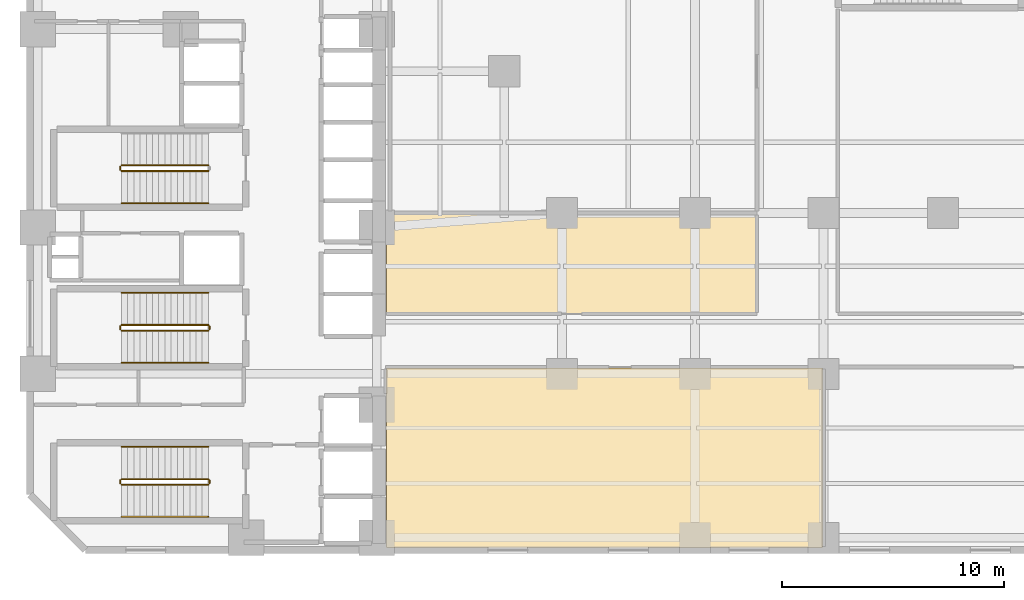
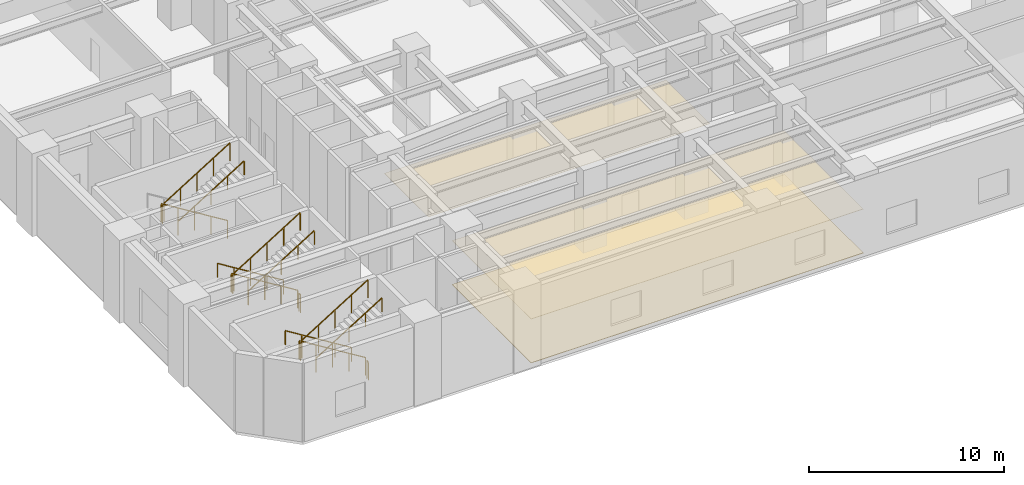
# One storey, part 18 of 22: 16 railings, 3 coverings.
"""IFC4 building model written with IfcOpenShell, lengths in metres."""

from ifc_helpers import new_model, si_unit, direction, frame, origin, origin_2d, place, context, subcontext, project, spatial, polyline, rectangle, outline, extrude, material, layer, layer_set, type_object, element, save


model = new_model("IFC4")

# Units and contexts
model_context = context("Model", 3, precision=1e-05, world=origin(), true_north=direction((0.0, 1.0)))
body_context = subcontext(model_context, "Body", "Model", "MODEL_VIEW")
ifc_project = project(units=[si_unit("LENGTHUNIT", "METRE"), si_unit("AREAUNIT", "SQUARE_METRE"), si_unit("VOLUMEUNIT", "CUBIC_METRE"), si_unit("PLANEANGLEUNIT", "RADIAN"), si_unit("MASSUNIT", "GRAM", prefix="KILO")], contexts=[model_context])

# Site, building, storey
site_placement = place(None, origin())
site = spatial("IfcSite", under=ifc_project, at=site_placement, CompositionType="ELEMENT")
building_placement = place(site_placement, origin())
building = spatial("IfcBuilding", under=site, at=building_placement, Name="Mawjaban Terraces University", CompositionType="ELEMENT")
storey_placement = place(building_placement, frame((0.0, 0.0, 10.39990234375)))
storey = spatial("IfcBuildingStorey", under=building, at=storey_placement, Name="L02", CompositionType="ELEMENT", Elevation=10.39990234375)

# Coverings
ifc_material_1 = material(Name="Acoustic mineral fibre ceiling tile", Category="masonry")
ifc_layer_1 = layer(ifc_material_1, 0.02001953125)
ifc_layer_set_1 = layer_set([ifc_layer_1], Name="Acoustic mineral fibre ceiling tile")
covering_type_1 = type_object("IfcCoveringType", Name="AcousticMineralCeiling_20", PredefinedType="CEILING", material=ifc_layer_set_1)
covering_1_placement = place(storey_placement, frame((0.0, 0.0, 2.75)))
element("IfcCovering", 1, at=covering_1_placement, inside=storey, type_object=covering_type_1, Name="L02 Lecture Audio-Visual Preparation Room Acoustic Ceiling", PredefinedType="CEILING", context=body_context, shape_type="SweptSolid", body=[
    extrude(outline(polyline([(54.77001953125, 10.679931640625), (54.77001953125, 15.169921875), (38.080078125, 15.169921875), (38.080078125, 10.679931640625), (54.77001953125, 10.679931640625)])), origin(), (0.0, 0.0, 1.0), 0.02001953125),
])
covering_2_placement = place(storey_placement, frame((0.0, 0.0, 2.75)))
element("IfcCovering", 2, at=covering_2_placement, inside=storey, type_object=covering_type_1, Name="L02 Foundation Seminar Classroom Acoustic Ceiling", PredefinedType="CEILING", context=body_context, shape_type="SweptSolid", body=[
    extrude(outline(polyline([(38.080078125, 0.114990234375), (57.77001953125, 0.114990234375), (57.77001953125, 8.219970703125), (38.080078125, 8.219970703125), (38.080078125, 0.114990234375)])), origin(), (0.0, 0.0, 1.0), 0.02001953125),
])

# Railings
ifc_material_2 = material(Name="Brushed stainless steel 316", Category="steel")
railing_type_1 = type_object("IfcRailingType", Name="StairWallHandrail_900", PredefinedType="HANDRAIL", material=ifc_material_2)
railing_1_placement = place(storey_placement, frame((30.050048828125, 4.64990234375, 0.17333984375)))
element("IfcRailing", 3, at=railing_1_placement, inside=storey, type_object=railing_type_1, Name="L02 ST-1 stair handrail 1", PredefinedType="HANDRAIL", context=body_context, shape_type="SweptSolid", body=[
    extrude(rectangle(XDim=0.048095703125, YDim=0.048095703125, at=origin_2d()), frame((0.0, 0.0, 0.8759765625), z_axis=(-0.850266275192, 0.0, 0.526352791643), x_axis=(0.0, -1.0, 0.0)), (0.0, 0.0, 1.0), 4.610595703125),
    extrude(rectangle(XDim=0.0419921875, YDim=0.0419921875, at=origin_2d()), origin(), (0.0, 0.0, 1.0), 0.851806640625),
    extrude(rectangle(XDim=0.0419921875, YDim=0.0419921875, at=origin_2d()), frame((-0.97998046875, 0.0, 0.606689453125)), (0.0, 0.0, 1.0), 0.851806640625),
    extrude(rectangle(XDim=0.0419921875, YDim=0.0419921875, at=origin_2d()), frame((-1.9599609375, 0.0, 1.21337890625)), (0.0, 0.0, 1.0), 0.851806640625),
    extrude(rectangle(XDim=0.0419921875, YDim=0.0419921875, at=origin_2d()), frame((-2.940185546875, 0.0, 1.820068359375)), (0.0, 0.0, 1.0), 0.851806640625),
    extrude(rectangle(XDim=0.0419921875, YDim=0.0419921875, at=origin_2d()), frame((-3.920166015625, 0.0, 2.4267578125)), (0.0, 0.0, 1.0), 0.851806640625),
])
for number, where, name in (
    (4, (26.1298828125, 1.5, 2.7734375), "L02 ST-1 stair handrail 2"),
    (5, (26.1298828125, 15.64990234375, 2.7734375), "L02 ST-2 stair handrail 2"),
):
    element("IfcRailing", number, at=place(storey_placement, frame(where)), inside=storey, type_object=railing_type_1, Name=name, PredefinedType="HANDRAIL", context=body_context, shape_type="SweptSolid", body=[
        extrude(rectangle(XDim=0.048095703125, YDim=0.048095703125, at=origin_2d()), frame((0.0, 0.0, 0.8759765625), z_axis=(0.850266275192, 0.0, 0.526352791643), x_axis=(0.0, 1.0, 0.0)), (0.0, 0.0, 1.0), 4.610595703125),
        extrude(rectangle(XDim=0.0419921875, YDim=0.0419921875, at=origin_2d()), origin(), (0.0, 0.0, 1.0), 0.851806640625),
        extrude(rectangle(XDim=0.0419921875, YDim=0.0419921875, at=origin_2d()), frame((0.97998046875, 0.0, 0.606689453125)), (0.0, 0.0, 1.0), 0.851806640625),
        extrude(rectangle(XDim=0.0419921875, YDim=0.0419921875, at=origin_2d()), frame((1.9599609375, 0.0, 1.21337890625)), (0.0, 0.0, 1.0), 0.851806640625),
        extrude(rectangle(XDim=0.0419921875, YDim=0.0419921875, at=origin_2d()), frame((2.940185546875, 0.0, 1.820068359375)), (0.0, 0.0, 1.0), 0.851806640625),
        extrude(rectangle(XDim=0.0419921875, YDim=0.0419921875, at=origin_2d()), frame((3.920166015625, 0.0, 2.4267578125)), (0.0, 0.0, 1.0), 0.851806640625),
    ])
railing_2_placement = place(storey_placement, frame((30.050048828125, 11.60009765625, 0.17333984375)))
element("IfcRailing", 6, at=railing_2_placement, inside=storey, type_object=railing_type_1, Name="L02 ST-3 stair handrail 1", PredefinedType="HANDRAIL", context=body_context, shape_type="SweptSolid", body=[
    extrude(rectangle(XDim=0.048095703125, YDim=0.048095703125, at=origin_2d()), frame((0.0, 0.0, 0.8759765625), z_axis=(-0.850266275192, 0.0, 0.526352791643), x_axis=(0.0, -1.0, 0.0)), (0.0, 0.0, 1.0), 4.610595703125),
    extrude(rectangle(XDim=0.0419921875, YDim=0.0419921875, at=origin_2d()), origin(), (0.0, 0.0, 1.0), 0.851806640625),
    extrude(rectangle(XDim=0.0419921875, YDim=0.0419921875, at=origin_2d()), frame((-0.97998046875, 0.0, 0.606689453125)), (0.0, 0.0, 1.0), 0.851806640625),
    extrude(rectangle(XDim=0.0419921875, YDim=0.0419921875, at=origin_2d()), frame((-1.9599609375, 0.0, 1.21337890625)), (0.0, 0.0, 1.0), 0.851806640625),
    extrude(rectangle(XDim=0.0419921875, YDim=0.0419921875, at=origin_2d()), frame((-2.940185546875, 0.0, 1.820068359375)), (0.0, 0.0, 1.0), 0.851806640625),
    extrude(rectangle(XDim=0.0419921875, YDim=0.0419921875, at=origin_2d()), frame((-3.920166015625, 0.0, 2.4267578125)), (0.0, 0.0, 1.0), 0.851806640625),
])
railing_3_placement = place(storey_placement, frame((26.1298828125, 8.449951171875, 2.7734375)))
element("IfcRailing", 7, at=railing_3_placement, inside=storey, type_object=railing_type_1, Name="L02 ST-3 stair handrail 2", PredefinedType="HANDRAIL", context=body_context, shape_type="SweptSolid", body=[
    extrude(rectangle(XDim=0.048095703125, YDim=0.048095703125, at=origin_2d()), frame((0.0, 0.0, 0.8759765625), z_axis=(0.850266275192, 0.0, 0.526352791643), x_axis=(0.0, 1.0, 0.0)), (0.0, 0.0, 1.0), 4.610595703125),
    extrude(rectangle(XDim=0.0419921875, YDim=0.0419921875, at=origin_2d()), origin(), (0.0, 0.0, 1.0), 0.851806640625),
    extrude(rectangle(XDim=0.0419921875, YDim=0.0419921875, at=origin_2d()), frame((0.97998046875, 0.0, 0.606689453125)), (0.0, 0.0, 1.0), 0.851806640625),
    extrude(rectangle(XDim=0.0419921875, YDim=0.0419921875, at=origin_2d()), frame((1.9599609375, 0.0, 1.21337890625)), (0.0, 0.0, 1.0), 0.851806640625),
    extrude(rectangle(XDim=0.0419921875, YDim=0.0419921875, at=origin_2d()), frame((2.940185546875, 0.0, 1.820068359375)), (0.0, 0.0, 1.0), 0.851806640625),
    extrude(rectangle(XDim=0.0419921875, YDim=0.0419921875, at=origin_2d()), frame((3.920166015625, 0.0, 2.4267578125)), (0.0, 0.0, 1.0), 0.851806640625),
])
ifc_material_3 = material(Name="Galvanised painted steel S355", Category="steel")
railing_type_2 = type_object("IfcRailingType", Name="StairWellGuard_1150", PredefinedType="BALUSTRADE", material=ifc_material_3)
railing_4_placement = place(storey_placement, frame((30.050048828125, 3.199951171875, 0.17333984375)))
element("IfcRailing", 8, at=railing_4_placement, inside=storey, type_object=railing_type_2, Name="L02 ST-1 stair guard 1", PredefinedType="BALUSTRADE", context=body_context, shape_type="SweptSolid", body=[
    extrude(rectangle(XDim=0.048095703125, YDim=0.048095703125, at=origin_2d()), frame((0.0, 0.0, 1.1259765625), z_axis=(-0.850266275192, 0.0, 0.526352791643), x_axis=(0.0, -1.0, 0.0)), (0.0, 0.0, 1.0), 4.610595703125),
    extrude(rectangle(XDim=0.0419921875, YDim=0.0419921875, at=origin_2d()), origin(), (0.0, 0.0, 1.0), 1.101806640625),
    extrude(rectangle(XDim=0.0419921875, YDim=0.0419921875, at=origin_2d()), frame((-0.97998046875, 0.0, 0.606689453125)), (0.0, 0.0, 1.0), 1.101806640625),
    extrude(rectangle(XDim=0.0419921875, YDim=0.0419921875, at=origin_2d()), frame((-1.9599609375, 0.0, 1.21337890625)), (0.0, 0.0, 1.0), 1.101806640625),
    extrude(rectangle(XDim=0.0419921875, YDim=0.0419921875, at=origin_2d()), frame((-2.940185546875, 0.0, 1.820068359375)), (0.0, 0.0, 1.0), 1.101806640625),
    extrude(rectangle(XDim=0.0419921875, YDim=0.0419921875, at=origin_2d()), frame((-3.920166015625, 0.0, 2.4267578125)), (0.0, 0.0, 1.0), 1.101806640625),
])
railing_5_placement = place(storey_placement, frame((26.080078125, 3.14990234375, 2.60009765625)))
element("IfcRailing", 9, at=railing_5_placement, inside=storey, type_object=railing_type_2, Name="L02 ST-1 stair guard 2", PredefinedType="BALUSTRADE", context=body_context, shape_type="SweptSolid", body=[
    extrude(rectangle(XDim=0.048095703125, YDim=0.048095703125, at=origin_2d()), frame((0.0, 0.0, 1.1259765625), z_axis=(0.0, -1.0, 0.0), x_axis=(1.0, 0.0, 0.0)), (0.0, 0.0, 1.0), 0.14990234375),
    extrude(rectangle(XDim=0.0419921875, YDim=0.0419921875, at=origin_2d()), origin(), (0.0, 0.0, 1.0), 1.101806640625),
    extrude(rectangle(XDim=0.0419921875, YDim=0.0419921875, at=origin_2d()), frame((0.0, -0.14990234375, 0.0)), (0.0, 0.0, 1.0), 1.101806640625),
])
railing_6_placement = place(storey_placement, frame((26.1298828125, 2.949951171875, 2.7734375)))
element("IfcRailing", 10, at=railing_6_placement, inside=storey, type_object=railing_type_2, Name="L02 ST-1 stair guard 3", PredefinedType="BALUSTRADE", context=body_context, shape_type="SweptSolid", body=[
    extrude(rectangle(XDim=0.048095703125, YDim=0.048095703125, at=origin_2d()), frame((0.0, 0.0, 1.1259765625), z_axis=(0.850266275192, 0.0, 0.526352791643), x_axis=(0.0, 1.0, 0.0)), (0.0, 0.0, 1.0), 4.610595703125),
    extrude(rectangle(XDim=0.0419921875, YDim=0.0419921875, at=origin_2d()), origin(), (0.0, 0.0, 1.0), 1.101806640625),
    extrude(rectangle(XDim=0.0419921875, YDim=0.0419921875, at=origin_2d()), frame((0.97998046875, 0.0, 0.606689453125)), (0.0, 0.0, 1.0), 1.101806640625),
    extrude(rectangle(XDim=0.0419921875, YDim=0.0419921875, at=origin_2d()), frame((1.9599609375, 0.0, 1.21337890625)), (0.0, 0.0, 1.0), 1.101806640625),
    extrude(rectangle(XDim=0.0419921875, YDim=0.0419921875, at=origin_2d()), frame((2.940185546875, 0.0, 1.820068359375)), (0.0, 0.0, 1.0), 1.101806640625),
    extrude(rectangle(XDim=0.0419921875, YDim=0.0419921875, at=origin_2d()), frame((3.920166015625, 0.0, 2.4267578125)), (0.0, 0.0, 1.0), 1.101806640625),
])
railing_7_placement = place(storey_placement, frame((30.10009765625, 3.14990234375, 0.0)))
element("IfcRailing", 11, at=railing_7_placement, inside=storey, type_object=railing_type_2, Name="L02 ST-1 stair guard 4", PredefinedType="BALUSTRADE", context=body_context, shape_type="SweptSolid", body=[
    extrude(rectangle(XDim=0.048095703125, YDim=0.048095703125, at=origin_2d()), frame((0.0, 0.0, 1.1259765625), z_axis=(0.0, -1.0, 0.0), x_axis=(1.0, 0.0, 0.0)), (0.0, 0.0, 1.0), 0.14990234375),
    extrude(rectangle(XDim=0.0419921875, YDim=0.0419921875, at=origin_2d()), origin(), (0.0, 0.0, 1.0), 1.101806640625),
    extrude(rectangle(XDim=0.0419921875, YDim=0.0419921875, at=origin_2d()), frame((0.0, -0.14990234375, 0.0)), (0.0, 0.0, 1.0), 1.101806640625),
])
railing_8_placement = place(storey_placement, frame((30.050048828125, 17.35009765625, 0.17333984375)))
element("IfcRailing", 12, at=railing_8_placement, inside=storey, type_object=railing_type_2, Name="L02 ST-2 stair guard 1", PredefinedType="BALUSTRADE", context=body_context, shape_type="SweptSolid", body=[
    extrude(rectangle(XDim=0.048095703125, YDim=0.048095703125, at=origin_2d()), frame((0.0, 0.0, 1.1259765625), z_axis=(-0.850266275192, 0.0, 0.526352791643), x_axis=(0.0, -1.0, 0.0)), (0.0, 0.0, 1.0), 4.610595703125),
    extrude(rectangle(XDim=0.0419921875, YDim=0.0419921875, at=origin_2d()), origin(), (0.0, 0.0, 1.0), 1.101806640625),
    extrude(rectangle(XDim=0.0419921875, YDim=0.0419921875, at=origin_2d()), frame((-0.97998046875, 0.0, 0.606689453125)), (0.0, 0.0, 1.0), 1.101806640625),
    extrude(rectangle(XDim=0.0419921875, YDim=0.0419921875, at=origin_2d()), frame((-1.9599609375, 0.0, 1.21337890625)), (0.0, 0.0, 1.0), 1.101806640625),
    extrude(rectangle(XDim=0.0419921875, YDim=0.0419921875, at=origin_2d()), frame((-2.940185546875, 0.0, 1.820068359375)), (0.0, 0.0, 1.0), 1.101806640625),
    extrude(rectangle(XDim=0.0419921875, YDim=0.0419921875, at=origin_2d()), frame((-3.920166015625, 0.0, 2.4267578125)), (0.0, 0.0, 1.0), 1.101806640625),
])
railing_9_placement = place(storey_placement, frame((26.080078125, 17.300048828125, 2.60009765625)))
element("IfcRailing", 13, at=railing_9_placement, inside=storey, type_object=railing_type_2, Name="L02 ST-2 stair guard 2", PredefinedType="BALUSTRADE", context=body_context, shape_type="SweptSolid", body=[
    extrude(rectangle(XDim=0.048095703125, YDim=0.048095703125, at=origin_2d()), frame((0.0, 0.0, 1.1259765625), z_axis=(0.0, -1.0, 0.0), x_axis=(1.0, 0.0, 0.0)), (0.0, 0.0, 1.0), 0.150146484375),
    extrude(rectangle(XDim=0.0419921875, YDim=0.0419921875, at=origin_2d()), origin(), (0.0, 0.0, 1.0), 1.101806640625),
    extrude(rectangle(XDim=0.0419921875, YDim=0.0419921875, at=origin_2d()), frame((0.0, -0.150146484375, 0.0)), (0.0, 0.0, 1.0), 1.101806640625),
])
railing_10_placement = place(storey_placement, frame((26.1298828125, 17.10009765625, 2.7734375)))
element("IfcRailing", 14, at=railing_10_placement, inside=storey, type_object=railing_type_2, Name="L02 ST-2 stair guard 3", PredefinedType="BALUSTRADE", context=body_context, shape_type="SweptSolid", body=[
    extrude(rectangle(XDim=0.048095703125, YDim=0.048095703125, at=origin_2d()), frame((0.0, 0.0, 1.1259765625), z_axis=(0.850266275192, 0.0, 0.526352791643), x_axis=(0.0, 1.0, 0.0)), (0.0, 0.0, 1.0), 4.610595703125),
    extrude(rectangle(XDim=0.0419921875, YDim=0.0419921875, at=origin_2d()), origin(), (0.0, 0.0, 1.0), 1.101806640625),
    extrude(rectangle(XDim=0.0419921875, YDim=0.0419921875, at=origin_2d()), frame((0.97998046875, 0.0, 0.606689453125)), (0.0, 0.0, 1.0), 1.101806640625),
    extrude(rectangle(XDim=0.0419921875, YDim=0.0419921875, at=origin_2d()), frame((1.9599609375, 0.0, 1.21337890625)), (0.0, 0.0, 1.0), 1.101806640625),
    extrude(rectangle(XDim=0.0419921875, YDim=0.0419921875, at=origin_2d()), frame((2.940185546875, 0.0, 1.820068359375)), (0.0, 0.0, 1.0), 1.101806640625),
    extrude(rectangle(XDim=0.0419921875, YDim=0.0419921875, at=origin_2d()), frame((3.920166015625, 0.0, 2.4267578125)), (0.0, 0.0, 1.0), 1.101806640625),
])
railing_11_placement = place(storey_placement, frame((30.050048828125, 10.14990234375, 0.17333984375)))
element("IfcRailing", 15, at=railing_11_placement, inside=storey, type_object=railing_type_2, Name="L02 ST-3 stair guard 1", PredefinedType="BALUSTRADE", context=body_context, shape_type="SweptSolid", body=[
    extrude(rectangle(XDim=0.048095703125, YDim=0.048095703125, at=origin_2d()), frame((0.0, 0.0, 1.1259765625), z_axis=(-0.850266275192, 0.0, 0.526352791643), x_axis=(0.0, -1.0, 0.0)), (0.0, 0.0, 1.0), 4.610595703125),
    extrude(rectangle(XDim=0.0419921875, YDim=0.0419921875, at=origin_2d()), origin(), (0.0, 0.0, 1.0), 1.101806640625),
    extrude(rectangle(XDim=0.0419921875, YDim=0.0419921875, at=origin_2d()), frame((-0.97998046875, 0.0, 0.606689453125)), (0.0, 0.0, 1.0), 1.101806640625),
    extrude(rectangle(XDim=0.0419921875, YDim=0.0419921875, at=origin_2d()), frame((-1.9599609375, 0.0, 1.21337890625)), (0.0, 0.0, 1.0), 1.101806640625),
    extrude(rectangle(XDim=0.0419921875, YDim=0.0419921875, at=origin_2d()), frame((-2.940185546875, 0.0, 1.820068359375)), (0.0, 0.0, 1.0), 1.101806640625),
    extrude(rectangle(XDim=0.0419921875, YDim=0.0419921875, at=origin_2d()), frame((-3.920166015625, 0.0, 2.4267578125)), (0.0, 0.0, 1.0), 1.101806640625),
])
railing_12_placement = place(storey_placement, frame((26.080078125, 10.10009765625, 2.60009765625)))
element("IfcRailing", 16, at=railing_12_placement, inside=storey, type_object=railing_type_2, Name="L02 ST-3 stair guard 2", PredefinedType="BALUSTRADE", context=body_context, shape_type="SweptSolid", body=[
    extrude(rectangle(XDim=0.048095703125, YDim=0.048095703125, at=origin_2d()), frame((0.0, 0.0, 1.1259765625), z_axis=(0.0, -1.0, 0.0), x_axis=(1.0, 0.0, 0.0)), (0.0, 0.0, 1.0), 0.150146484375),
    extrude(rectangle(XDim=0.0419921875, YDim=0.0419921875, at=origin_2d()), origin(), (0.0, 0.0, 1.0), 1.101806640625),
    extrude(rectangle(XDim=0.0419921875, YDim=0.0419921875, at=origin_2d()), frame((0.0, -0.150146484375, 0.0)), (0.0, 0.0, 1.0), 1.101806640625),
])
railing_13_placement = place(storey_placement, frame((26.1298828125, 9.89990234375, 2.7734375)))
element("IfcRailing", 17, at=railing_13_placement, inside=storey, type_object=railing_type_2, Name="L02 ST-3 stair guard 3", PredefinedType="BALUSTRADE", context=body_context, shape_type="SweptSolid", body=[
    extrude(rectangle(XDim=0.048095703125, YDim=0.048095703125, at=origin_2d()), frame((0.0, 0.0, 1.1259765625), z_axis=(0.850266275192, 0.0, 0.526352791643), x_axis=(0.0, 1.0, 0.0)), (0.0, 0.0, 1.0), 4.610595703125),
    extrude(rectangle(XDim=0.0419921875, YDim=0.0419921875, at=origin_2d()), origin(), (0.0, 0.0, 1.0), 1.101806640625),
    extrude(rectangle(XDim=0.0419921875, YDim=0.0419921875, at=origin_2d()), frame((0.97998046875, 0.0, 0.606689453125)), (0.0, 0.0, 1.0), 1.101806640625),
    extrude(rectangle(XDim=0.0419921875, YDim=0.0419921875, at=origin_2d()), frame((1.9599609375, 0.0, 1.21337890625)), (0.0, 0.0, 1.0), 1.101806640625),
    extrude(rectangle(XDim=0.0419921875, YDim=0.0419921875, at=origin_2d()), frame((2.940185546875, 0.0, 1.820068359375)), (0.0, 0.0, 1.0), 1.101806640625),
    extrude(rectangle(XDim=0.0419921875, YDim=0.0419921875, at=origin_2d()), frame((3.920166015625, 0.0, 2.4267578125)), (0.0, 0.0, 1.0), 1.101806640625),
])
railing_14_placement = place(storey_placement, frame((30.10009765625, 10.10009765625, 0.0)))
element("IfcRailing", 18, at=railing_14_placement, inside=storey, type_object=railing_type_2, Name="L02 ST-3 stair guard 4", PredefinedType="BALUSTRADE", context=body_context, shape_type="SweptSolid", body=[
    extrude(rectangle(XDim=0.048095703125, YDim=0.048095703125, at=origin_2d()), frame((0.0, 0.0, 1.1259765625), z_axis=(0.0, -1.0, 0.0), x_axis=(1.0, 0.0, 0.0)), (0.0, 0.0, 1.0), 0.150146484375),
    extrude(rectangle(XDim=0.0419921875, YDim=0.0419921875, at=origin_2d()), origin(), (0.0, 0.0, 1.0), 1.101806640625),
    extrude(rectangle(XDim=0.0419921875, YDim=0.0419921875, at=origin_2d()), frame((0.0, -0.150146484375, 0.0)), (0.0, 0.0, 1.0), 1.101806640625),
])

# Covering
ifc_material_4 = material(Name="Polished Hijazi granite terrazzo flooring", Category="masonry")
ifc_layer_2 = layer(ifc_material_4, 0.02490234375)
ifc_layer_set_2 = layer_set([ifc_layer_2], Name="Polished Hijazi granite terrazzo flooring")
covering_type_2 = type_object("IfcCoveringType", Name="TerrazzoConcourseFlooring_25", PredefinedType="FLOORING", material=ifc_layer_set_2)
covering_3_placement = place(storey_placement, origin())
element("IfcCovering", 19, at=covering_3_placement, inside=storey, type_object=covering_type_2, Name="L02 Foundation Seminar Classroom Terrazzo Flooring", PredefinedType="FLOORING", context=body_context, shape_type="SweptSolid", body=[
    extrude(outline(polyline([(38.080078125, 0.114990234375), (57.77001953125, 0.114990234375), (57.77001953125, 8.219970703125), (38.080078125, 8.219970703125), (38.080078125, 0.114990234375)])), origin(), (0.0, 0.0, 1.0), 0.025146484375),
])

save(model, "model.ifc")
